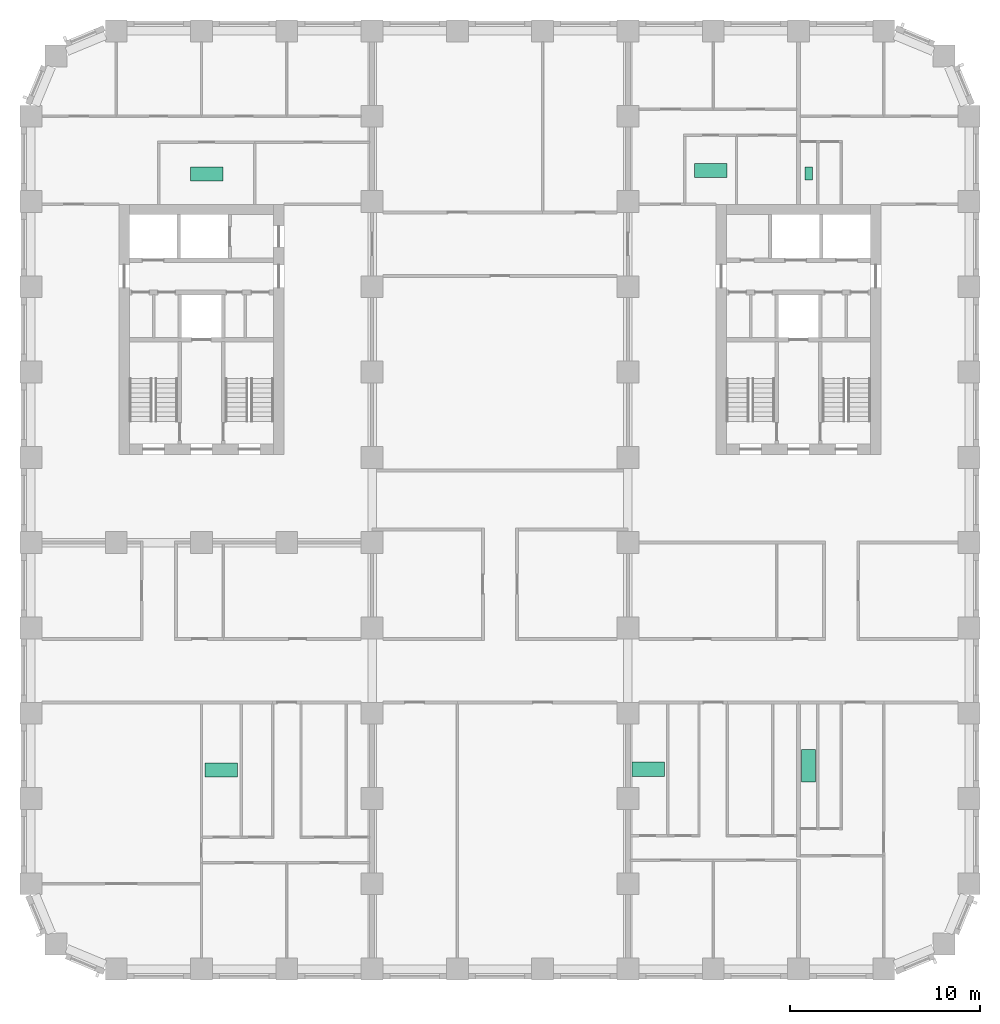
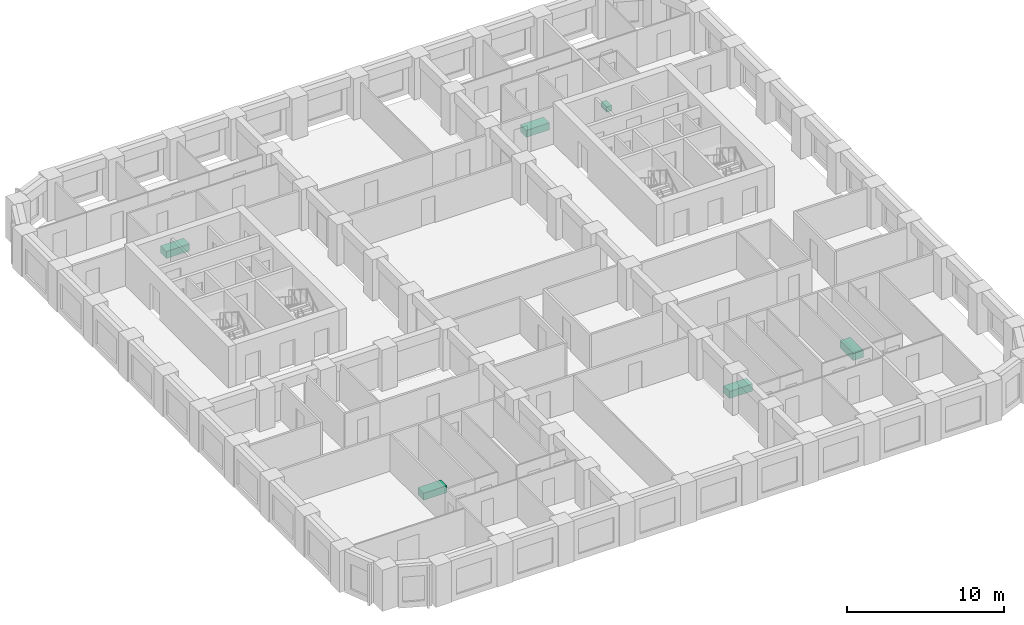
# One storey, part 12 of 12: 6 sanitary terminals.
"""IFC4 building model written with IfcOpenShell, lengths in metres."""

from ifc_helpers import new_model, si_unit, direction, frame, origin, origin_2d, place, context, subcontext, project, spatial, rectangle, extrude, material, type_object, element, save


model = new_model("IFC4")

# Units and contexts
model_context = context("Model", 3, precision=1e-05, world=origin(), true_north=direction((0.0, 1.0)))
body_context = subcontext(model_context, "Body", "Model", "MODEL_VIEW")
ifc_project = project(units=[si_unit("LENGTHUNIT", "METRE"), si_unit("AREAUNIT", "SQUARE_METRE"), si_unit("VOLUMEUNIT", "CUBIC_METRE"), si_unit("PLANEANGLEUNIT", "RADIAN"), si_unit("MASSUNIT", "GRAM", prefix="KILO")], contexts=[model_context])

# Site, building, storey
site_placement = place(None, origin())
site = spatial("IfcSite", under=ifc_project, at=site_placement, CompositionType="ELEMENT")
building_placement = place(site_placement, origin())
building = spatial("IfcBuilding", under=site, at=building_placement, Name="Girih Gate Residences", CompositionType="ELEMENT")
storey_placement = place(building_placement, frame((0.0, 0.0, 112.0)))
storey = spatial("IfcBuildingStorey", under=building, at=storey_placement, Name="L31", CompositionType="ELEMENT", Elevation=112.0)

# Sanitary terminals
ifc_material_1 = material(Name="Acrylic")
sanitary_terminal_type_1 = type_object("IfcSanitaryTerminalType", Name="Bath 1700", PredefinedType="BATH", material=ifc_material_1)
for number, where, z_axis, x_axis, name in (
    (1, (10.047119140625, 10.509033203125, 0.0), (0.0, 0.0, 1.0), (1.0, 0.0, 0.0), "Bath 1700 L31"),
    (2, (9.280029296875, 41.9541015625, 0.0), (0.0, 0.0, 1.0), (1.0, 0.0, 0.0), "Bath 1700 L31"),
):
    element("IfcSanitaryTerminal", number, at=place(storey_placement, frame(where, z_axis=z_axis, x_axis=x_axis)), inside=storey, type_object=sanitary_terminal_type_1, Name=name, PredefinedType="BATH", context=body_context, shape_type="SweptSolid", body=[
        extrude(rectangle(XDim=1.699951171875, YDim=0.75, at=origin_2d()), origin(), (0.0, 0.0, 1.0), 0.550048828125),
    ])
sanitary_terminal_1_placement = place(storey_placement, frame((41.030029296875, 10.72900390625, 0.0), z_axis=(0.0, 0.0, 1.0), x_axis=(1.0, 0.0, 0.0)))
element("IfcSanitaryTerminal", 3, at=sanitary_terminal_1_placement, inside=storey, type_object=sanitary_terminal_type_1, Name="Bath 1700 L31", PredefinedType="BATH", context=body_context, shape_type="SweptSolid", body=[
    extrude(rectangle(XDim=0.75, YDim=1.699951171875, at=origin_2d()), origin(), (0.0, 0.0, 1.0), 0.550048828125),
])
for number, where, z_axis, x_axis, name in (
    (4, (32.576904296875, 10.549072265625, 0.0), (0.0, 0.0, 1.0), (1.0, 0.0, 0.0), "Bath 1700 L31"),
    (5, (35.864990234375, 42.14111328125, 0.0), (0.0, 0.0, 1.0), (1.0, 0.0, 0.0), "Bath 1700 L31"),
):
    element("IfcSanitaryTerminal", number, at=place(storey_placement, frame(where, z_axis=z_axis, x_axis=x_axis)), inside=storey, type_object=sanitary_terminal_type_1, Name=name, PredefinedType="BATH", context=body_context, shape_type="SweptSolid", body=[
        extrude(rectangle(XDim=1.699951171875, YDim=0.75, at=origin_2d()), origin(), (0.0, 0.0, 1.0), 0.550048828125),
    ])
ifc_material_2 = material(Name="Vitreous china")
sanitary_terminal_type_2 = type_object("IfcSanitaryTerminalType", Name="WC pan", PredefinedType="TOILETPAN", material=ifc_material_2)
sanitary_terminal_2_placement = place(storey_placement, frame((41.030029296875, 41.97412109375, 0.0), z_axis=(0.0, 0.0, 1.0), x_axis=(1.0, 0.0, 0.0)))
element("IfcSanitaryTerminal", 6, at=sanitary_terminal_2_placement, inside=storey, type_object=sanitary_terminal_type_2, Name="WC pan L31", PredefinedType="TOILETPAN", context=body_context, shape_type="SweptSolid", body=[
    extrude(rectangle(XDim=0.39990234375, YDim=0.699951171875, at=origin_2d()), origin(), (0.0, 0.0, 1.0), 0.39990234375),
])

save(model, "model.ifc")
